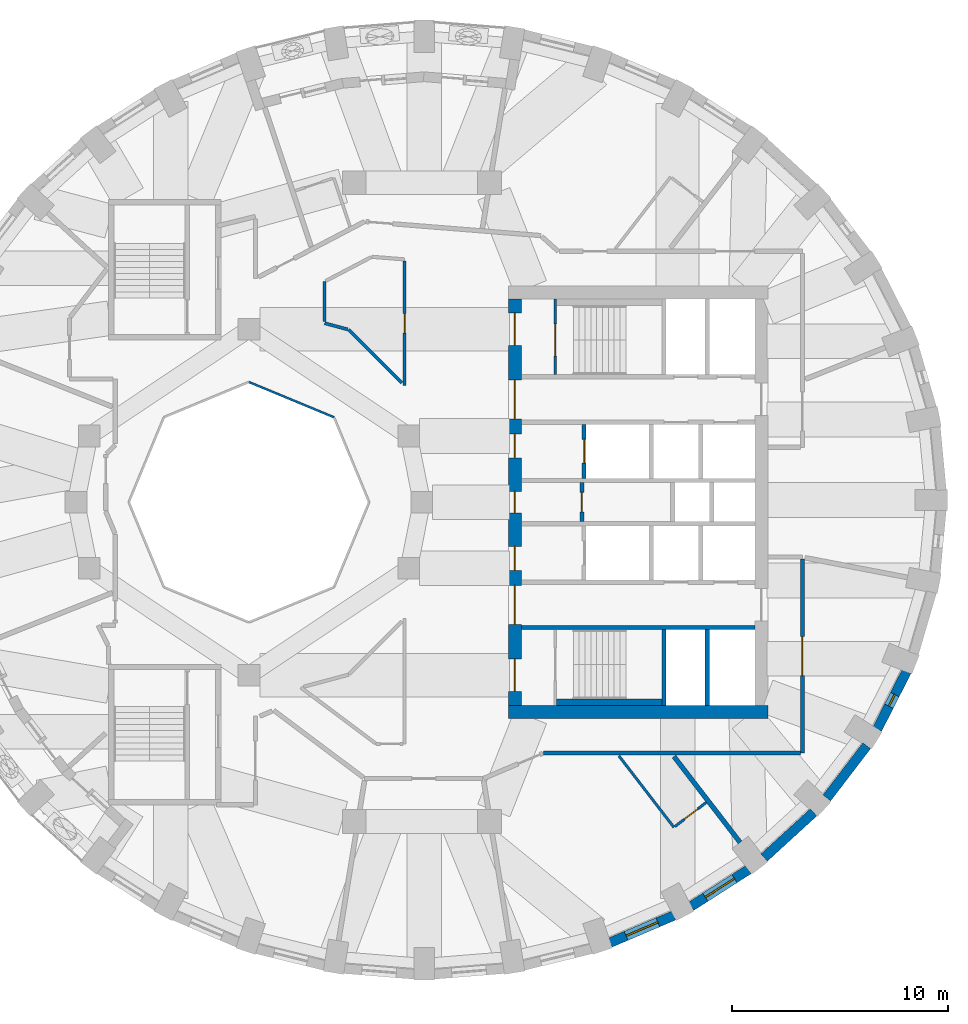
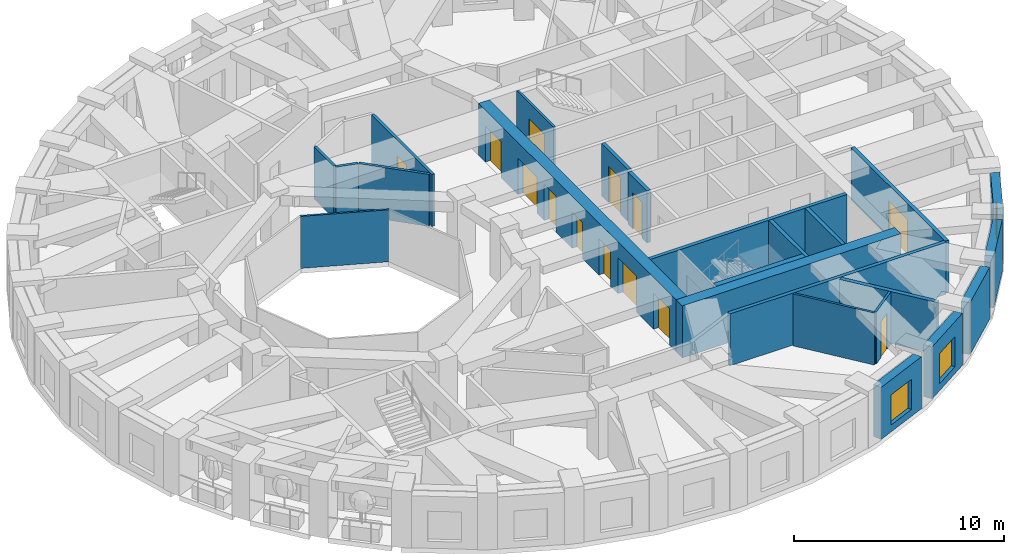
# One storey, part 5 of 11: 24 walls, 13 doors, 3 windows, 16 openings.
"""IFC4 building model written with IfcOpenShell, lengths in metres."""

import ifcopenshell
import ifcopenshell.guid

model = None  # the IFC model being written
_history = None  # IfcOwnerHistory: only IFC2X3 demands one
_inside = {}  # id of a spatial element -> (the spatial element, [elements in it])
_under = {}  # id of a project, library or spatial element -> (it, [spatial elements below it])
_declared = {}  # id of a project -> (the project, [libraries it declares])
_typed = {}  # id of a type object -> (the type object, [elements of that type])
_made_of = {}  # id of a material, layer set ... -> (it, [elements and type objects made of it])


def new_model(schema):
    """Start an empty IFC model of exactly this schema.

    Asked for "IFC4X3", IfcOpenShell would pick the latest addendum, in which some entities
    have other attributes; the version numbers below select the first issue.
    IFC2X3 requires an IfcOwnerHistory on every rooted entity: one is made here for all.
    """
    global model, _history
    if schema == "IFC4X3":
        model = ifcopenshell.file(schema_version=(4, 3, 0, 0))
    else:
        model = ifcopenshell.file(schema=schema)
    _inside.clear()
    _under.clear()
    _declared.clear()
    _typed.clear()
    _made_of.clear()
    _history = None
    if model.schema == "IFC2X3":
        org = make("IfcOrganization", Name="unknown")
        user = make(
            "IfcPersonAndOrganization",
            ThePerson=make("IfcPerson", FamilyName="unknown"),
            TheOrganization=org,
        )
        app = make(
            "IfcApplication",
            ApplicationDeveloper=org,
            Version="unknown",
            ApplicationFullName="unknown",
            ApplicationIdentifier="unknown",
        )
        _history = make(
            "IfcOwnerHistory",
            OwningUser=user,
            OwningApplication=app,
            ChangeAction="ADDED",
            CreationDate=0,
        )
    return model


def make(cls, **values):
    """One entity of the class cls with the attributes given. An attribute that is None is left unset."""
    return model.create_entity(
        cls, **{name: value for name, value in values.items() if value is not None}
    )


def rooted(cls, **values):
    """An entity with a GlobalId (a new one), such as an element, a storey or a relation."""
    return make(cls, GlobalId=ifcopenshell.guid.new(), OwnerHistory=_history, **values)


def si_unit(unit_type, name, prefix=None):
    """IfcSIUnit, for example si_unit("LENGTHUNIT", "METRE", prefix="MILLI")."""
    return make("IfcSIUnit", UnitType=unit_type, Prefix=prefix, Name=name)


def assignment(units):
    """IfcUnitAssignment: the units of a project."""
    return None if units is None else make("IfcUnitAssignment", Units=units)


def point(xyz):
    """IfcCartesianPoint."""
    return None if xyz is None else make("IfcCartesianPoint", Coordinates=xyz)


def direction(xyz):
    """IfcDirection."""
    return None if xyz is None else make("IfcDirection", DirectionRatios=xyz)


def frame(location, z_axis=None, x_axis=None):
    """IfcAxis2Placement3D, a coordinate frame: its origin and axes. An axis left out is left unset."""
    return make(
        "IfcAxis2Placement3D",
        Location=point(location),
        Axis=direction(z_axis),
        RefDirection=direction(x_axis),
    )


def frame_2d(location, x_axis=None):
    """IfcAxis2Placement2D, a coordinate frame in the plane: its origin and x axis."""
    return make(
        "IfcAxis2Placement2D", Location=point(location), RefDirection=direction(x_axis)
    )


def origin():
    """The frame at (0, 0, 0) with its axes left unset."""
    return frame((0.0, 0.0, 0.0))


def place(relative_to, where):
    """IfcLocalPlacement: puts the frame where relative to a parent placement (None: the world)."""
    return make(
        "IfcLocalPlacement", PlacementRelTo=relative_to, RelativePlacement=where
    )


def context(
    kind, dimensions, precision=None, world=None, true_north=None, identifier=None
):
    """IfcGeometricRepresentationContext, for example the 3D "Model" context."""
    return make(
        "IfcGeometricRepresentationContext",
        ContextIdentifier=identifier,
        ContextType=kind,
        CoordinateSpaceDimension=dimensions,
        Precision=precision,
        WorldCoordinateSystem=world,
        TrueNorth=true_north,
    )


def subcontext(parent, identifier, kind, view, scale=None):
    """IfcGeometricRepresentationSubContext, for example "Body" below "Model"."""
    return make(
        "IfcGeometricRepresentationSubContext",
        ContextIdentifier=identifier,
        ContextType=kind,
        ParentContext=parent,
        TargetScale=scale,
        TargetView=view,
    )


def project(units=None, contexts=None):
    """IfcProject with its units and contexts."""
    return rooted(
        "IfcProject",
        Name="project",
        RepresentationContexts=contexts,
        UnitsInContext=assignment(units),
    )


def spatial(cls, under=None, at=None, **own):
    """A site, building, storey or space (cls), placed at a placement, below another one or the project."""
    s = rooted(cls, ObjectPlacement=at, **own)
    if under is not None:
        _under.setdefault(under.id(), (under, []))[1].append(s)
    return s


def profile(cls, at=None, kind="AREA", **sizes):
    """A parametric profile (cls). Its sizes go by their IFC names, for example OverallWidth=200.0."""
    return make(cls, ProfileType=kind, Position=at, **sizes)


def rectangle(**sizes):
    """IfcRectangleProfileDef."""
    return profile("IfcRectangleProfileDef", **sizes)


def extrude(swept, where, along, depth):
    """IfcExtrudedAreaSolid: the profile swept, set in the frame where, extruded along a direction by depth."""
    return make(
        "IfcExtrudedAreaSolid",
        SweptArea=swept,
        Position=where,
        ExtrudedDirection=direction(along),
        Depth=depth,
    )


def shape(context_of_items, identifier, shape_type, items):
    """IfcShapeRepresentation: the items that make up one representation, for example the "Body"."""
    return make(
        "IfcShapeRepresentation",
        ContextOfItems=context_of_items,
        RepresentationIdentifier=identifier,
        RepresentationType=shape_type,
        Items=items,
    )


def material(Name=None, Category=None):
    """IfcMaterial."""
    return make("IfcMaterial", Name=Name, Category=Category)


def layer(
    of_material, thickness, ventilated=None, Name=None, Category=None, Priority=None
):
    """IfcMaterialLayer: one layer of a wall or slab, of a material (None: an air gap)."""
    return make(
        "IfcMaterialLayer",
        Material=of_material,
        LayerThickness=thickness,
        IsVentilated=ventilated,
        Name=Name,
        Category=Category,
        Priority=Priority,
    )


def layer_set(layers, Name=None):
    """IfcMaterialLayerSet."""
    return make("IfcMaterialLayerSet", MaterialLayers=layers, LayerSetName=Name)


def made_of(thing, what):
    """Note that an element or type object is made of a material, layer set ...; save() writes the relation."""
    if what is not None:
        _made_of.setdefault(what.id(), (what, []))[1].append(thing)
    return thing


def type_object(cls, material=None, **own):
    """A type object (cls), such as IfcWallType, which elements share."""
    return made_of(rooted(cls, **own), material)


def element(
    cls,
    number,
    at=None,
    inside=None,
    cuts=None,
    type_object=None,
    material=None,
    context=None,
    identifier="Body",
    shape_type=None,
    held_by="IfcProductDefinitionShape",
    body=None,
    shapes=None,
    **own,
):
    """One element of the class cls, such as IfcWall. Its Tag is "e" and its number.

    at: its placement. inside: the storey or other place that contains it. cuts: it is an
    opening in that element (IfcRelVoidsElement). A single representation is given by context,
    identifier, shape_type and body (its items); several are given by shapes. held_by: the class
    of the entity that holds the representations. save() writes the other relations.
    """
    e = rooted(cls, Tag="e%d" % number, ObjectPlacement=at, **own)
    if body is not None:
        shapes = [shape(context, identifier, shape_type, body)]
    if shapes is not None:
        e.Representation = make(held_by, Representations=shapes)
    if inside is not None:
        _inside.setdefault(inside.id(), (inside, []))[1].append(e)
    if cuts is not None:
        rooted(
            "IfcRelVoidsElement", RelatingBuildingElement=cuts, RelatedOpeningElement=e
        )
    if type_object is not None:
        _typed.setdefault(type_object.id(), (type_object, []))[1].append(e)
    return made_of(e, material)


def fill(opening, filler):
    """IfcRelFillsElement: the door or window that sits in an opening."""
    return rooted(
        "IfcRelFillsElement",
        RelatingOpeningElement=opening,
        RelatedBuildingElement=filler,
    )


def aggregate(whole, parts):
    """IfcRelAggregates: a whole, such as a stair, and the parts it consists of."""
    return rooted("IfcRelAggregates", RelatingObject=whole, RelatedObjects=parts)


def save(model, path):
    """Write the relations noted so far, then the file.

    IfcRelAggregates (storeys below a building ...), IfcRelContainedInSpatialStructure (elements
    in a storey), IfcRelDefinesByType, IfcRelAssociatesMaterial and IfcRelDeclares: one each for
    every whole, place, type object, material and project.
    """
    for whole, parts in _under.values():
        aggregate(whole, parts)
    for where, things in _inside.values():
        rooted(
            "IfcRelContainedInSpatialStructure",
            RelatedElements=things,
            RelatingStructure=where,
        )
    for kind, things in _typed.values():
        rooted("IfcRelDefinesByType", RelatedObjects=things, RelatingType=kind)
    for what, things in _made_of.values():
        rooted("IfcRelAssociatesMaterial", RelatedObjects=things, RelatingMaterial=what)
    for by, libraries in _declared.values():
        rooted("IfcRelDeclares", RelatingContext=by, RelatedDefinitions=libraries)
    model.write(path)


model = new_model("IFC4")

# Units and contexts
model_context = context("Model", 3, precision=1e-05, world=origin(), true_north=direction((0.0, 1.0)))
body_context = subcontext(model_context, "Body", "Model", "MODEL_VIEW")
ifc_project = project(units=[si_unit("LENGTHUNIT", "METRE"), si_unit("AREAUNIT", "SQUARE_METRE"), si_unit("VOLUMEUNIT", "CUBIC_METRE"), si_unit("PLANEANGLEUNIT", "RADIAN"), si_unit("MASSUNIT", "GRAM", prefix="KILO")], contexts=[model_context])

# Site, building, storey
site_placement = place(None, origin())
site = spatial("IfcSite", under=ifc_project, at=site_placement, CompositionType="ELEMENT")
building_placement = place(site_placement, origin())
building = spatial("IfcBuilding", under=site, at=building_placement, Name="Taillehof Tower", CompositionType="ELEMENT")
storey_placement = place(building_placement, frame((0.0, 0.0, 174.800048828125)))
storey = spatial("IfcBuildingStorey", under=building, at=storey_placement, Name="L49", CompositionType="ELEMENT", Elevation=174.800048828125)

# Wall
ifc_material_1 = material(Name="Fire-resisting glass in steel frame", Category="steel")
ifc_layer_1 = layer(ifc_material_1, 0.10009765625)
ifc_layer_set_1 = layer_set([ifc_layer_1], Name="Atrium fire-resisting screen EI 60 100")
wall_type_1 = type_object("IfcWallType", Name="Atrium fire-resisting screen EI 60 100", PredefinedType="PARTITIONING", material=ifc_layer_set_1)
wall_1_placement = place(storey_placement, frame((-8.0, 5.55419921875, 0.0), z_axis=(0.0, 0.0, 1.0), x_axis=(0.923860025149, -0.382730523909, 0.0)))
element("IfcWall", 1, at=wall_1_placement, inside=storey, type_object=wall_type_1, Name="Atrium screen", PredefinedType="PARTITIONING", context=body_context, shape_type="SweptSolid", body=[
    extrude(rectangle(XDim=4.2509765625, YDim=0.10009765625, at=frame_2d((2.12548828125, 0.0))), origin(), (0.0, 0.0, 1.0), 3.02001953125),
])

# Wall, opening, window
ifc_material_2 = material(Name="Brick masonry", Category="masonry")
ifc_layer_2 = layer(ifc_material_2, 0.449951171875)
ifc_layer_set_2 = layer_set([ifc_layer_2], Name="Brick infill wall 450")
wall_type_2 = type_object("IfcWallType", Name="Brick infill wall 450", PredefinedType="SOLIDWALL", material=ifc_layer_set_2)
wall_2_placement = place(storey_placement, frame((8.706298828125, -20.37451171875, 0.0), z_axis=(0.0, 0.0, 1.0), x_axis=(0.91981046949, 0.392362969986, 0.0)))
wall_2 = element("IfcWall", 2, at=wall_2_placement, inside=storey, type_object=wall_type_2, Name="Brick wall L49 bay 30", PredefinedType="SOLIDWALL", context=body_context, shape_type="SweptSolid", body=[
    extrude(rectangle(XDim=3.20068359375, YDim=0.449951171875, at=frame_2d((1.600341796875, 0.0))), origin(), (0.0, 0.0, 1.0), 3.02001953125),
])
opening_1_placement = place(wall_2_placement, frame((0.80029296875, 0.0, 0.39990234375)))
opening_1 = element("IfcOpeningElement", 3, at=opening_1_placement, cuts=wall_2, Name="Opening W3", PredefinedType="OPENING", context=body_context, shape_type="SweptSolid", body=[
    extrude(rectangle(XDim=1.60009765625, YDim=1.75, at=frame_2d((0.800048828125, 0.875))), frame((0.0, 0.23486328125, 0.0), z_axis=(0.0, -1.0, 0.0), x_axis=(1.0, 0.0, 0.0)), (0.0, 0.0, 1.0), 0.469970703125),
])
ifc_material_3 = material(Name="Aluminium window frame with clear double glazing", Category="aluminium")
window_type_1 = type_object("IfcWindowType", Name="Deep-set window 1600x1750", PartitioningType="SINGLE_PANEL", PredefinedType="WINDOW", material=ifc_material_3)
window_1_placement = place(opening_1_placement, origin())
window_1 = element("IfcWindow", 4, at=window_1_placement, inside=storey, type_object=window_type_1, Name="W3", OverallHeight=1.75, OverallWidth=1.60009765625, PartitioningType="SINGLE_PANEL", PredefinedType="WINDOW", context=body_context, shape_type="SweptSolid", body=[
    extrude(rectangle(XDim=1.60009765625, YDim=1.75, at=frame_2d((0.800048828125, 0.875))), frame((0.0, 0.034912109375, 0.0), z_axis=(0.0, -1.0, 0.0), x_axis=(1.0, 0.0, 0.0)), (0.0, 0.0, 1.0), 0.06005859375),
])
fill(opening_1, window_1)

wall_3_placement = place(storey_placement, frame((12.454833984375, -18.693115234375, 0.0), z_axis=(0.0, 0.0, 1.0), x_axis=(0.842065914439, 0.539374633943, 0.0)))
wall_3 = element("IfcWall", 5, at=wall_3_placement, inside=storey, type_object=wall_type_2, Name="Brick wall L49 bay 31", PredefinedType="SOLIDWALL", context=body_context, shape_type="SweptSolid", body=[
    extrude(rectangle(XDim=3.1513671875, YDim=0.449951171875, at=frame_2d((1.57568359375, 0.0))), origin(), (0.0, 0.0, 1.0), 3.02001953125),
])
opening_2_placement = place(wall_3_placement, frame((0.775634765625, 0.0, 0.39990234375)))
opening_2 = element("IfcOpeningElement", 6, at=opening_2_placement, cuts=wall_3, Name="Opening W3", PredefinedType="OPENING", context=body_context, shape_type="SweptSolid", body=[
    extrude(rectangle(XDim=1.60009765625, YDim=1.75, at=frame_2d((0.800048828125, 0.875))), frame((0.0, 0.23486328125, 0.0), z_axis=(0.0, -1.0, 0.0), x_axis=(1.0, 0.0, 0.0)), (0.0, 0.0, 1.0), 0.469970703125),
])
window_2_placement = place(opening_2_placement, origin())
window_2 = element("IfcWindow", 7, at=window_2_placement, inside=storey, type_object=window_type_1, Name="W3", OverallHeight=1.75, OverallWidth=1.60009765625, PartitioningType="SINGLE_PANEL", PredefinedType="WINDOW", context=body_context, shape_type="SweptSolid", body=[
    extrude(rectangle(XDim=1.60009765625, YDim=1.75, at=frame_2d((0.800048828125, 0.875))), frame((0.0, 0.034912109375, 0.0), z_axis=(0.0, -1.0, 0.0), x_axis=(1.0, 0.0, 0.0)), (0.0, 0.0, 1.0), 0.06005859375),
])
fill(opening_2, window_2)

# Walls
wall_4_placement = place(storey_placement, frame((15.830078125, -16.438720703125, 0.0), z_axis=(0.0, 0.0, 1.0), x_axis=(0.737808755941, 0.675009807082, 0.0)))
element("IfcWall", 8, at=wall_4_placement, inside=storey, type_object=wall_type_2, Name="Brick wall L49 bay 32", PredefinedType="SOLIDWALL", context=body_context, shape_type="SweptSolid", body=[
    extrude(rectangle(XDim=3.094482421875, YDim=0.449951171875, at=frame_2d((1.54736328125, 0.0))), origin(), (0.0, 0.0, 1.0), 3.02001953125),
])
wall_5_placement = place(storey_placement, frame((18.72802734375, -13.6787109375, 0.0), z_axis=(0.0, 0.0, 1.0), x_axis=(0.607817056371, 0.794077090706, 0.0)))
element("IfcWall", 9, at=wall_5_placement, inside=storey, type_object=wall_type_2, Name="Brick wall L49 bay 33", PredefinedType="SOLIDWALL", context=body_context, shape_type="SweptSolid", body=[
    extrude(rectangle(XDim=3.037109375, YDim=0.449951171875, at=frame_2d((1.5185546875, 0.0))), origin(), (0.0, 0.0, 1.0), 3.02001953125),
])

# Wall, opening, window
wall_6_placement = place(storey_placement, frame((21.059326171875, -10.4970703125, 0.0), z_axis=(0.0, 0.0, 1.0), x_axis=(0.454133999889, 0.890933392653, 0.0)))
wall_6 = element("IfcWall", 10, at=wall_6_placement, inside=storey, type_object=wall_type_2, Name="Brick wall L49 bay 34", PredefinedType="SOLIDWALL", context=body_context, shape_type="SweptSolid", body=[
    extrude(rectangle(XDim=2.98583984375, YDim=0.449951171875, at=frame_2d((1.492919921875, 0.0))), origin(), (0.0, 0.0, 1.0), 3.02001953125),
])
opening_3_placement = place(wall_6_placement, frame((1.19287109375, 0.0, 0.39990234375)))
opening_3 = element("IfcOpeningElement", 11, at=opening_3_placement, cuts=wall_6, Name="Opening W6", PredefinedType="OPENING", context=body_context, shape_type="SweptSolid", body=[
    extrude(rectangle(XDim=0.60009765625, YDim=1.75, at=frame_2d((0.300048828125, 0.875))), frame((0.0, 0.23486328125, 0.0), z_axis=(0.0, -1.0, 0.0), x_axis=(1.0, 0.0, 0.0)), (0.0, 0.0, 1.0), 0.469970703125),
])
ifc_material_4 = material(Name="Aluminium window frame with clear double glazing", Category="aluminium")
window_type_2 = type_object("IfcWindowType", Name="Slot window 600x1750", PartitioningType="SINGLE_PANEL", PredefinedType="WINDOW", material=ifc_material_4)
window_3_placement = place(opening_3_placement, origin())
window_3 = element("IfcWindow", 12, at=window_3_placement, inside=storey, type_object=window_type_2, Name="W6", OverallHeight=1.75, OverallWidth=0.60009765625, PartitioningType="SINGLE_PANEL", PredefinedType="WINDOW", context=body_context, shape_type="SweptSolid", body=[
    extrude(rectangle(XDim=0.60009765625, YDim=1.75, at=frame_2d((0.300048828125, 0.875))), frame((0.0, 0.034912109375, 0.0), z_axis=(0.0, -1.0, 0.0), x_axis=(1.0, 0.0, 0.0)), (0.0, 0.0, 1.0), 0.06005859375),
])
fill(opening_3, window_3)

# Wall, opening, door
ifc_material_5 = material(Name="Calcium silicate masonry", Category="masonry")
ifc_layer_3 = layer(ifc_material_5, 0.199951171875)
ifc_layer_set_3 = layer_set([ifc_layer_3], Name="Compartment wall calcium silicate 200")
wall_type_3 = type_object("IfcWallType", Name="Compartment wall calcium silicate 200", PredefinedType="PARTITIONING", material=ifc_layer_set_3)
wall_7_placement = place(storey_placement, frame((7.39990234375, -0.89990234375, 0.0), z_axis=(0.0, 0.0, 1.0), x_axis=(0.0, 1.0, 0.0)))
wall_7 = element("IfcWall", 13, at=wall_7_placement, inside=storey, type_object=wall_type_3, Name="Compartment wall FW", PredefinedType="PARTITIONING", context=body_context, shape_type="SweptSolid", body=[
    extrude(rectangle(XDim=1.7998046875, YDim=0.199951171875, at=frame_2d((0.89990234375, 0.0))), origin(), (0.0, 0.0, 1.0), 3.02001953125),
])
opening_4_placement = place(wall_7_placement, frame((0.449951171875, 0.0, 0.0)))
opening_4 = element("IfcOpeningElement", 14, at=opening_4_placement, cuts=wall_7, Name="Opening D4914", PredefinedType="OPENING", context=body_context, shape_type="SweptSolid", body=[
    extrude(rectangle(XDim=0.89990234375, YDim=2.10009765625, at=frame_2d((0.449951171875, 1.050048828125))), frame((0.0, 0.10986328125, 0.0), z_axis=(0.0, -1.0, 0.0), x_axis=(1.0, 0.0, 0.0)), (0.0, 0.0, 1.0), 0.219970703125),
])
ifc_material_6 = material(Name="Steel-faced fire door", Category="steel")
door_type_1 = type_object("IfcDoorType", Name="Riser and service room door 900x2100", OperationType="SINGLE_SWING_LEFT", PredefinedType="DOOR", material=ifc_material_6)
door_1_placement = place(opening_4_placement, origin())
door_1 = element("IfcDoor", 15, at=door_1_placement, inside=storey, type_object=door_type_1, Name="Door Housekeeping Store", OperationType="SINGLE_SWING_RIGHT", OverallHeight=2.10009765625, OverallWidth=0.89990234375, PredefinedType="DOOR", context=body_context, shape_type="SweptSolid", body=[
    extrude(rectangle(XDim=0.89990234375, YDim=2.10009765625, at=frame_2d((0.449951171875, 1.050048828125))), frame((0.0, 0.02490234375, 0.0), z_axis=(0.0, -1.0, 0.0), x_axis=(1.0, 0.0, 0.0)), (0.0, 0.0, 1.0), 0.050048828125),
])
fill(opening_4, door_1)

ifc_material_7 = material(Name="Gypsum board on steel studs, two layers each side", Category="steel")
ifc_layer_4 = layer(ifc_material_7, 0.199951171875)
ifc_layer_set_4 = layer_set([ifc_layer_4], Name="Compartment wall corridor 200")
wall_type_4 = type_object("IfcWallType", Name="Compartment wall corridor 200", PredefinedType="PARTITIONING", material=ifc_layer_set_4)
wall_8_placement = place(storey_placement, frame((17.60009765625, -2.637939453125, 0.0), z_axis=(0.0, 0.0, 1.0), x_axis=(0.0, -1.0, 0.0)))
wall_8 = element("IfcWall", 16, at=wall_8_placement, inside=storey, type_object=wall_type_4, Name="Compartment wall", PredefinedType="PARTITIONING", context=body_context, shape_type="SweptSolid", body=[
    extrude(rectangle(XDim=8.962158203125, YDim=0.199951171875, at=frame_2d((4.48095703125, 0.0))), origin(), (0.0, 0.0, 1.0), 3.02001953125),
])
opening_5_placement = place(wall_8_placement, frame((3.5810546875, 0.0, 0.0)))
opening_5 = element("IfcOpeningElement", 17, at=opening_5_placement, cuts=wall_8, Name="Opening D4952", PredefinedType="OPENING", context=body_context, shape_type="SweptSolid", body=[
    extrude(rectangle(XDim=1.800048828125, YDim=2.10009765625, at=frame_2d((0.89990234375, 1.050048828125))), frame((0.0, 0.10986328125, 0.0), z_axis=(0.0, -1.0, 0.0), x_axis=(1.0, 0.0, 0.0)), (0.0, 0.0, 1.0), 0.219970703125),
])
ifc_material_8 = material(Name="Timber door leaf in steel frame", Category="steel")
door_type_2 = type_object("IfcDoorType", Name="Lounge and meeting room double door EI 30 1800 x 2100", OperationType="SINGLE_SWING_LEFT", PredefinedType="DOOR", material=ifc_material_8)
door_2_placement = place(opening_5_placement, origin())
door_2 = element("IfcDoor", 18, at=door_2_placement, inside=storey, type_object=door_type_2, Name="D4952", OperationType="DOUBLE_DOOR_SINGLE_SWING", OverallHeight=2.10009765625, OverallWidth=1.800048828125, PredefinedType="DOOR", context=body_context, shape_type="SweptSolid", body=[
    extrude(rectangle(XDim=1.800048828125, YDim=2.10009765625, at=frame_2d((0.89990234375, 1.050048828125))), frame((0.0, 0.02490234375, 0.0), z_axis=(0.0, -1.0, 0.0), x_axis=(1.0, 0.0, 0.0)), (0.0, 0.0, 1.0), 0.050048828125),
])
fill(opening_5, door_2)

# Walls
wall_9_placement = place(storey_placement, frame((17.5, -11.60009765625, 0.0), z_axis=(0.0, 0.0, 1.0), x_axis=(-1.0, 0.0, 0.0)))
element("IfcWall", 19, at=wall_9_placement, inside=storey, type_object=wall_type_4, Name="Compartment wall", PredefinedType="PARTITIONING", context=body_context, shape_type="SweptSolid", body=[
    extrude(rectangle(XDim=11.876220703125, YDim=0.199951171875, at=frame_2d((5.93798828125, 0.0))), origin(), (0.0, 0.0, 1.0), 3.02001953125),
])
ifc_material_9 = material(Name="Gypsum board on double steel studs with mineral wool", Category="steel")
ifc_layer_5 = layer(ifc_material_9, 0.219970703125)
ifc_layer_set_5 = layer_set([ifc_layer_5], Name="Compartment wall guest room 220")
wall_type_5 = type_object("IfcWallType", Name="Compartment wall guest room 220", PredefinedType="PARTITIONING", material=ifc_layer_set_5)
wall_10_placement = place(storey_placement, frame((14.7158203125, -15.7373046875, 0.0), z_axis=(0.0, 0.0, 1.0), x_axis=(-0.609986007715, 0.792412184657, 0.0)))
element("IfcWall", 20, at=wall_10_placement, inside=storey, type_object=wall_type_5, Name="Compartment wall", PredefinedType="PARTITIONING", context=body_context, shape_type="SweptSolid", body=[
    extrude(rectangle(XDim=5.0146484375, YDim=0.219970703125, at=frame_2d((2.50732421875, 0.0))), origin(), (0.0, 0.0, 1.0), 3.02001953125),
])
ifc_material_10 = material(Name="Calcium silicate masonry", Category="masonry")
ifc_layer_6 = layer(ifc_material_10, 0.300048828125)
ifc_layer_set_6 = layer_set([ifc_layer_6], Name="Compartment wall lining calcium silicate 300")
wall_type_6 = type_object("IfcWallType", Name="Compartment wall lining calcium silicate 300", PredefinedType="PARTITIONING", material=ifc_layer_set_6)
wall_11_placement = place(storey_placement, frame((6.219970703125, -9.25, 0.0), z_axis=(0.0, 0.0, 1.0), x_axis=(1.0, 0.0, 0.0)))
element("IfcWall", 21, at=wall_11_placement, inside=storey, type_object=wall_type_6, Name="Compartment wall FW", PredefinedType="PARTITIONING", context=body_context, shape_type="SweptSolid", body=[
    extrude(rectangle(XDim=4.880126953125, YDim=0.300048828125, at=frame_2d((2.43994140625, 0.0))), origin(), (0.0, 0.0, 1.0), 3.02001953125),
])

# Wall, opening, door
ifc_material_11 = material(Name="Gypsum board on steel studs, two layers each side", Category="steel")
ifc_layer_7 = layer(ifc_material_11, 0.14990234375)
ifc_layer_set_7 = layer_set([ifc_layer_7], Name="Compartment wall service room 150")
wall_type_7 = type_object("IfcWallType", Name="Compartment wall service room 150", PredefinedType="PARTITIONING", material=ifc_layer_set_7)
wall_12_placement = place(storey_placement, frame((-0.800048828125, 11.146728515625, 0.0), z_axis=(0.0, 0.0, 1.0), x_axis=(0.0, -1.0, 0.0)))
wall_12 = element("IfcWall", 22, at=wall_12_placement, inside=storey, type_object=wall_type_7, Name="Compartment wall", PredefinedType="PARTITIONING", context=body_context, shape_type="SweptSolid", body=[
    extrude(rectangle(XDim=5.76025390625, YDim=0.14990234375, at=frame_2d((2.880126953125, 0.0))), origin(), (0.0, 0.0, 1.0), 3.02001953125),
])
opening_6_placement = place(wall_12_placement, frame((2.43017578125, 0.0, 0.0)))
opening_6 = element("IfcOpeningElement", 23, at=opening_6_placement, cuts=wall_12, Name="Opening D4955", PredefinedType="OPENING", context=body_context, shape_type="SweptSolid", body=[
    extrude(rectangle(XDim=0.89990234375, YDim=2.10009765625, at=frame_2d((0.449951171875, 1.050048828125))), frame((0.0, 0.0849609375, 0.0), z_axis=(0.0, -1.0, 0.0), x_axis=(1.0, 0.0, 0.0)), (0.0, 0.0, 1.0), 0.169921875),
])
ifc_material_12 = material(Name="Timber door leaf in steel frame", Category="steel")
door_type_3 = type_object("IfcDoorType", Name="Service room door EI 30 900 x 2100", OperationType="SINGLE_SWING_LEFT", PredefinedType="DOOR", material=ifc_material_12)
door_3_placement = place(opening_6_placement, origin())
door_3 = element("IfcDoor", 24, at=door_3_placement, inside=storey, type_object=door_type_3, Name="D4955", OperationType="SINGLE_SWING_LEFT", OverallHeight=2.10009765625, OverallWidth=0.89990234375, PredefinedType="DOOR", context=body_context, shape_type="SweptSolid", body=[
    extrude(rectangle(XDim=0.89990234375, YDim=2.10009765625, at=frame_2d((0.449951171875, 1.050048828125))), frame((0.0, 0.02490234375, 0.0), z_axis=(0.0, -1.0, 0.0), x_axis=(1.0, 0.0, 0.0)), (0.0, 0.0, 1.0), 0.050048828125),
])
fill(opening_6, door_3)

# Walls
wall_13_placement = place(storey_placement, frame((-0.927490234375, 5.513916015625, 0.0), z_axis=(0.0, 0.0, 1.0), x_axis=(-0.707106781187, 0.707106781187, 0.0)))
element("IfcWall", 25, at=wall_13_placement, inside=storey, type_object=wall_type_7, Name="Compartment wall", PredefinedType="PARTITIONING", context=body_context, shape_type="SweptSolid", body=[
    extrude(rectangle(XDim=3.48681640625, YDim=0.14990234375, at=frame_2d((1.743408203125, 0.0))), origin(), (0.0, 0.0, 1.0), 3.02001953125),
])
wall_14_placement = place(storey_placement, frame((-3.431640625, 7.98974609375, 0.0), z_axis=(0.0, 0.0, 1.0), x_axis=(-0.965900750832, 0.258912609855, 0.0)))
element("IfcWall", 26, at=wall_14_placement, inside=storey, type_object=wall_type_7, Name="Compartment wall", PredefinedType="PARTITIONING", context=body_context, shape_type="SweptSolid", body=[
    extrude(rectangle(XDim=1.10595703125, YDim=0.14990234375, at=frame_2d((0.552978515625, 0.0))), origin(), (0.0, 0.0, 1.0), 3.02001953125),
])
wall_15_placement = place(storey_placement, frame((-4.5, 8.356201171875, 0.0), z_axis=(0.0, 0.0, 1.0), x_axis=(0.0, 1.0, 0.0)))
element("IfcWall", 27, at=wall_15_placement, inside=storey, type_object=wall_type_7, Name="Compartment wall", PredefinedType="PARTITIONING", context=body_context, shape_type="SweptSolid", body=[
    extrude(rectangle(XDim=1.84814453125, YDim=0.14990234375, at=frame_2d((0.924072265625, 0.0))), origin(), (0.0, 0.0, 1.0), 3.02001953125),
])

# Wall, openings, doors
ifc_material_13 = material(Name="Concrete C80/95", Category="concrete")
ifc_layer_8 = layer(ifc_material_13, 0.60009765625)
ifc_layer_set_8 = layer_set([ifc_layer_8], Name="Core wall C80/95 600")
wall_type_8 = type_object("IfcWallType", Name="Core wall C80/95 600", PredefinedType="SHEAR", material=ifc_layer_set_8)
wall_16_placement = place(storey_placement, frame((4.300048828125, -9.39990234375, 0.0), z_axis=(0.0, 0.0, 1.0), x_axis=(0.0, 1.0, 0.0)))
wall_16 = element("IfcWall", 28, at=wall_16_placement, inside=storey, type_object=wall_type_8, Name="Core wall CW01", PredefinedType="SHEAR", context=body_context, shape_type="SweptSolid", body=[
    extrude(rectangle(XDim=18.7998046875, YDim=0.60009765625, at=frame_2d((9.39990234375, 0.0))), origin(), (0.0, 0.0, 1.0), 3.02001953125),
])
opening_7_placement = place(wall_16_placement, frame((0.64990234375, 0.0, 0.0)))
opening_7 = element("IfcOpeningElement", 29, at=opening_7_placement, cuts=wall_16, Name="Opening D4901", PredefinedType="OPENING", context=body_context, shape_type="SweptSolid", body=[
    extrude(rectangle(XDim=1.5, YDim=2.10009765625, at=frame_2d((0.75, 1.050048828125))), frame((0.0, 0.31005859375, 0.0), z_axis=(0.0, -1.0, 0.0), x_axis=(1.0, 0.0, 0.0)), (0.0, 0.0, 1.0), 0.6201171875),
])
opening_8_placement = place(wall_16_placement, frame((3.75, 0.0, 0.0)))
opening_8 = element("IfcOpeningElement", 30, at=opening_8_placement, cuts=wall_16, Name="Opening D4902", PredefinedType="OPENING", context=body_context, shape_type="SweptSolid", body=[
    extrude(rectangle(XDim=1.800048828125, YDim=2.10009765625, at=frame_2d((0.89990234375, 1.050048828125))), frame((0.0, 0.31005859375, 0.0), z_axis=(0.0, -1.0, 0.0), x_axis=(1.0, 0.0, 0.0)), (0.0, 0.0, 1.0), 0.6201171875),
])
opening_9_placement = place(wall_16_placement, frame((6.25, 0.0, 0.0)))
opening_9 = element("IfcOpeningElement", 31, at=opening_9_placement, cuts=wall_16, Name="Opening D4903", PredefinedType="OPENING", context=body_context, shape_type="SweptSolid", body=[
    extrude(rectangle(XDim=1.10009765625, YDim=2.10009765625, at=frame_2d((0.550048828125, 1.050048828125))), frame((0.0, 0.31005859375, 0.0), z_axis=(0.0, -1.0, 0.0), x_axis=(1.0, 0.0, 0.0)), (0.0, 0.0, 1.0), 0.6201171875),
])
opening_10_placement = place(wall_16_placement, frame((8.89990234375, 0.0, 0.0)))
opening_10 = element("IfcOpeningElement", 32, at=opening_10_placement, cuts=wall_16, Name="Opening D4904", PredefinedType="OPENING", context=body_context, shape_type="SweptSolid", body=[
    extrude(rectangle(XDim=1.0, YDim=2.10009765625, at=frame_2d((0.5, 1.050048828125))), frame((0.0, 0.31005859375, 0.0), z_axis=(0.0, -1.0, 0.0), x_axis=(1.0, 0.0, 0.0)), (0.0, 0.0, 1.0), 0.6201171875),
])
opening_11_placement = place(wall_16_placement, frame((11.449951171875, 0.0, 0.0)))
opening_11 = element("IfcOpeningElement", 33, at=opening_11_placement, cuts=wall_16, Name="Opening D4905", PredefinedType="OPENING", context=body_context, shape_type="SweptSolid", body=[
    extrude(rectangle(XDim=1.10009765625, YDim=2.10009765625, at=frame_2d((0.550048828125, 1.050048828125))), frame((0.0, 0.31005859375, 0.0), z_axis=(0.0, -1.0, 0.0), x_axis=(1.0, 0.0, 0.0)), (0.0, 0.0, 1.0), 0.6201171875),
])
opening_12_placement = place(wall_16_placement, frame((13.25, 0.0, 0.0)))
opening_12 = element("IfcOpeningElement", 34, at=opening_12_placement, cuts=wall_16, Name="Opening D4906", PredefinedType="OPENING", context=body_context, shape_type="SweptSolid", body=[
    extrude(rectangle(XDim=1.800048828125, YDim=2.10009765625, at=frame_2d((0.89990234375, 1.050048828125))), frame((0.0, 0.31005859375, 0.0), z_axis=(0.0, -1.0, 0.0), x_axis=(1.0, 0.0, 0.0)), (0.0, 0.0, 1.0), 0.6201171875),
])
opening_13_placement = place(wall_16_placement, frame((16.64990234375, 0.0, 0.0)))
opening_13 = element("IfcOpeningElement", 35, at=opening_13_placement, cuts=wall_16, Name="Opening D4907", PredefinedType="OPENING", context=body_context, shape_type="SweptSolid", body=[
    extrude(rectangle(XDim=1.5, YDim=2.10009765625, at=frame_2d((0.75, 1.050048828125))), frame((0.0, 0.31005859375, 0.0), z_axis=(0.0, -1.0, 0.0), x_axis=(1.0, 0.0, 0.0)), (0.0, 0.0, 1.0), 0.6201171875),
])
ifc_material_14 = material(Name="Steel-faced fire door", Category="steel")
door_type_4 = type_object("IfcDoorType", Name="Firefighting lobby door 1100x2100", OperationType="SINGLE_SWING_RIGHT", PredefinedType="DOOR", material=ifc_material_14)
door_4_placement = place(opening_9_placement, origin())
door_4 = element("IfcDoor", 36, at=door_4_placement, inside=storey, type_object=door_type_4, Name="Firefighting lobby door FFL-S", OperationType="SINGLE_SWING_RIGHT", OverallHeight=2.10009765625, OverallWidth=1.10009765625, PredefinedType="DOOR", context=body_context, shape_type="SweptSolid", body=[
    extrude(rectangle(XDim=1.10009765625, YDim=2.10009765625, at=frame_2d((0.550048828125, 1.050048828125))), frame((0.0, 0.02490234375, 0.0), z_axis=(0.0, -1.0, 0.0), x_axis=(1.0, 0.0, 0.0)), (0.0, 0.0, 1.0), 0.050048828125),
])
fill(opening_9, door_4)
door_5_placement = place(opening_11_placement, origin())
door_5 = element("IfcDoor", 37, at=door_5_placement, inside=storey, type_object=door_type_4, Name="Firefighting lobby door FFL-N", OperationType="SINGLE_SWING_LEFT", OverallHeight=2.10009765625, OverallWidth=1.10009765625, PredefinedType="DOOR", context=body_context, shape_type="SweptSolid", body=[
    extrude(rectangle(XDim=1.10009765625, YDim=2.10009765625, at=frame_2d((0.550048828125, 1.050048828125))), frame((0.0, 0.02490234375, 0.0), z_axis=(0.0, -1.0, 0.0), x_axis=(1.0, 0.0, 0.0)), (0.0, 0.0, 1.0), 0.050048828125),
])
fill(opening_11, door_5)
ifc_material_15 = material(Name="Steel-faced fire door", Category="steel")
door_type_5 = type_object("IfcDoorType", Name="Lift lobby door 1800x2100", OperationType="DOUBLE_DOOR_SINGLE_SWING", PredefinedType="DOOR", material=ifc_material_15)
door_6_placement = place(opening_8_placement, origin())
door_6 = element("IfcDoor", 38, at=door_6_placement, inside=storey, type_object=door_type_5, Name="Lift lobby door LL-S", OperationType="DOUBLE_DOOR_SINGLE_SWING", OverallHeight=2.10009765625, OverallWidth=1.800048828125, PredefinedType="DOOR", context=body_context, shape_type="SweptSolid", body=[
    extrude(rectangle(XDim=1.800048828125, YDim=2.10009765625, at=frame_2d((0.89990234375, 1.050048828125))), frame((0.0, 0.02490234375, 0.0), z_axis=(0.0, -1.0, 0.0), x_axis=(1.0, 0.0, 0.0)), (0.0, 0.0, 1.0), 0.050048828125),
])
fill(opening_8, door_6)
door_7_placement = place(opening_12_placement, origin())
door_7 = element("IfcDoor", 39, at=door_7_placement, inside=storey, type_object=door_type_5, Name="Lift lobby door LL-N", OperationType="DOUBLE_DOOR_SINGLE_SWING", OverallHeight=2.10009765625, OverallWidth=1.800048828125, PredefinedType="DOOR", context=body_context, shape_type="SweptSolid", body=[
    extrude(rectangle(XDim=1.800048828125, YDim=2.10009765625, at=frame_2d((0.89990234375, 1.050048828125))), frame((0.0, 0.02490234375, 0.0), z_axis=(0.0, -1.0, 0.0), x_axis=(1.0, 0.0, 0.0)), (0.0, 0.0, 1.0), 0.050048828125),
])
fill(opening_12, door_7)
ifc_material_16 = material(Name="Steel-faced fire door", Category="steel")
door_type_6 = type_object("IfcDoorType", Name="Service door 1000x2100", OperationType="SINGLE_SWING_RIGHT", PredefinedType="DOOR", material=ifc_material_16)
door_8_placement = place(opening_10_placement, origin())
door_8 = element("IfcDoor", 40, at=door_8_placement, inside=storey, type_object=door_type_6, Name="Service door SV", OperationType="SINGLE_SWING_RIGHT", OverallHeight=2.10009765625, OverallWidth=1.0, PredefinedType="DOOR", context=body_context, shape_type="SweptSolid", body=[
    extrude(rectangle(XDim=1.0, YDim=2.10009765625, at=frame_2d((0.5, 1.050048828125))), frame((0.0, 0.02490234375, 0.0), z_axis=(0.0, -1.0, 0.0), x_axis=(1.0, 0.0, 0.0)), (0.0, 0.0, 1.0), 0.050048828125),
])
fill(opening_10, door_8)
ifc_material_17 = material(Name="Steel-faced fire door", Category="steel")
door_type_7 = type_object("IfcDoorType", Name="Stair door 1500x2100", OperationType="DOUBLE_DOOR_SINGLE_SWING", PredefinedType="DOOR", material=ifc_material_17)
door_9_placement = place(opening_7_placement, origin())
door_9 = element("IfcDoor", 41, at=door_9_placement, inside=storey, type_object=door_type_7, Name="Stair door S2", OperationType="DOUBLE_DOOR_SINGLE_SWING", OverallHeight=2.10009765625, OverallWidth=1.5, PredefinedType="DOOR", context=body_context, shape_type="SweptSolid", body=[
    extrude(rectangle(XDim=1.5, YDim=2.10009765625, at=frame_2d((0.75, 1.050048828125))), frame((0.0, 0.02490234375, 0.0), z_axis=(0.0, -1.0, 0.0), x_axis=(1.0, 0.0, 0.0)), (0.0, 0.0, 1.0), 0.050048828125),
])
fill(opening_7, door_9)
door_10_placement = place(opening_13_placement, origin())
door_10 = element("IfcDoor", 42, at=door_10_placement, inside=storey, type_object=door_type_7, Name="Stair door S1", OperationType="DOUBLE_DOOR_SINGLE_SWING", OverallHeight=2.10009765625, OverallWidth=1.5, PredefinedType="DOOR", context=body_context, shape_type="SweptSolid", body=[
    extrude(rectangle(XDim=1.5, YDim=2.10009765625, at=frame_2d((0.75, 1.050048828125))), frame((0.0, 0.02490234375, 0.0), z_axis=(0.0, -1.0, 0.0), x_axis=(1.0, 0.0, 0.0)), (0.0, 0.0, 1.0), 0.050048828125),
])
fill(opening_13, door_10)

# Walls
wall_17_placement = place(storey_placement, frame((4.0, -9.699951171875, 0.0), z_axis=(0.0, 0.0, 1.0), x_axis=(1.0, 0.0, 0.0)))
element("IfcWall", 43, at=wall_17_placement, inside=storey, type_object=wall_type_8, Name="Core wall CW07", PredefinedType="SHEAR", context=body_context, shape_type="SweptSolid", body=[
    extrude(rectangle(XDim=12.0, YDim=0.60009765625, at=frame_2d((6.0, 0.0))), origin(), (0.0, 0.0, 1.0), 3.02001953125),
])
ifc_material_18 = material(Name="Gypsum board on steel studs, moisture resistant", Category="steel")
ifc_layer_9 = layer(ifc_material_18, 0.1201171875)
ifc_layer_set_9 = layer_set([ifc_layer_9], Name="En-suite wall 120")
wall_type_9 = type_object("IfcWallType", Name="En-suite wall 120", PredefinedType="PARTITIONING", material=ifc_layer_set_9)
wall_18_placement = place(storey_placement, frame((9.108642578125, -11.73193359375, 0.0), z_axis=(0.0, 0.0, 1.0), x_axis=(0.609996270026, -0.79240428479, 0.0)))
element("IfcWall", 44, at=wall_18_placement, inside=storey, type_object=wall_type_9, Name="En-suite wall", PredefinedType="PARTITIONING", context=body_context, shape_type="SweptSolid", body=[
    extrude(rectangle(XDim=4.17333984375, YDim=0.1201171875, at=frame_2d((2.086669921875, 0.0))), origin(), (0.0, 0.0, 1.0), 3.02001953125),
])

# Wall, opening, door
wall_19_placement = place(storey_placement, frame((11.701904296875, -15.002197265625, 0.0), z_axis=(0.0, 0.0, 1.0), x_axis=(0.792395776304, 0.610007322657, 0.0)))
wall_19 = element("IfcWall", 45, at=wall_19_placement, inside=storey, type_object=wall_type_9, Name="En-suite wall", PredefinedType="PARTITIONING", context=body_context, shape_type="SweptSolid", body=[
    extrude(rectangle(XDim=1.829833984375, YDim=0.1201171875, at=frame_2d((0.9150390625, 0.0))), origin(), (0.0, 0.0, 1.0), 3.02001953125),
])
opening_14_placement = place(wall_19_placement, frame((0.5400390625, 0.0, 0.0)))
opening_14 = element("IfcOpeningElement", 46, at=opening_14_placement, cuts=wall_19, Name="Opening D4951", PredefinedType="OPENING", context=body_context, shape_type="SweptSolid", body=[
    extrude(rectangle(XDim=0.800048828125, YDim=2.10009765625, at=frame_2d((0.39990234375, 1.050048828125))), frame((0.0, 0.070068359375, 0.0), z_axis=(0.0, -1.0, 0.0), x_axis=(1.0, 0.0, 0.0)), (0.0, 0.0, 1.0), 0.14013671875),
])
ifc_material_19 = material(Name="Timber door leaf in steel frame", Category="steel")
door_type_8 = type_object("IfcDoorType", Name="En-suite door 800 x 2100", OperationType="SINGLE_SWING_LEFT", PredefinedType="DOOR", material=ifc_material_19)
door_11_placement = place(opening_14_placement, origin())
door_11 = element("IfcDoor", 47, at=door_11_placement, inside=storey, type_object=door_type_8, Name="D4951", OperationType="SINGLE_SWING_LEFT", OverallHeight=2.10009765625, OverallWidth=0.800048828125, PredefinedType="DOOR", context=body_context, shape_type="SweptSolid", body=[
    extrude(rectangle(XDim=0.800048828125, YDim=2.10009765625, at=frame_2d((0.39990234375, 1.050048828125))), frame((0.0, 0.02490234375, 0.0), z_axis=(0.0, -1.0, 0.0), x_axis=(1.0, 0.0, 0.0)), (0.0, 0.0, 1.0), 0.050048828125),
])
fill(opening_14, door_11)

# Walls
ifc_material_20 = material(Name="Concrete C50/60", Category="concrete")
ifc_layer_10 = layer(ifc_material_20, 0.199951171875)
ifc_layer_set_10 = layer_set([ifc_layer_10], Name="Shaft wall C50/60 200")
wall_type_10 = type_object("IfcWallType", Name="Shaft wall C50/60 200", PredefinedType="SHEAR", material=ifc_layer_set_10)
wall_20_placement = place(storey_placement, frame((4.60009765625, -5.800048828125, 0.0), z_axis=(0.0, 0.0, 1.0), x_axis=(1.0, 0.0, 0.0)))
element("IfcWall", 48, at=wall_20_placement, inside=storey, type_object=wall_type_10, Name="Shaft wall SW", PredefinedType="SHEAR", context=body_context, shape_type="SweptSolid", body=[
    extrude(rectangle(XDim=10.7998046875, YDim=0.199951171875, at=frame_2d((5.39990234375, 0.0))), origin(), (0.0, 0.0, 1.0), 3.02001953125),
])
for number, where, z_axis, x_axis, name in (
    (49, (11.199951171875, -9.39990234375, 0.0), (0.0, 0.0, 1.0), (0.0, 1.0, 0.0), "Shaft wall SW"),
    (50, (13.199951171875, -9.39990234375, 0.0), (0.0, 0.0, 1.0), (0.0, 1.0, 0.0), "Shaft wall SW"),
):
    element("IfcWall", number, at=place(storey_placement, frame(where, z_axis=z_axis, x_axis=x_axis)), inside=storey, type_object=wall_type_10, Name=name, PredefinedType="SHEAR", context=body_context, shape_type="SweptSolid", body=[
        extrude(rectangle(XDim=3.5, YDim=0.199951171875, at=frame_2d((1.75, 0.0))), origin(), (0.0, 0.0, 1.0), 3.02001953125),
    ])

# Wall, opening, door
wall_21_placement = place(storey_placement, frame((7.5, 1.10009765625, 0.0), z_axis=(0.0, 0.0, 1.0), x_axis=(0.0, 1.0, 0.0)))
wall_21 = element("IfcWall", 51, at=wall_21_placement, inside=storey, type_object=wall_type_10, Name="Shaft wall SW", PredefinedType="SHEAR", context=body_context, shape_type="SweptSolid", body=[
    extrude(rectangle(XDim=2.5, YDim=0.199951171875, at=frame_2d((1.25, 0.0))), origin(), (0.0, 0.0, 1.0), 3.02001953125),
])
opening_15_placement = place(wall_21_placement, frame((0.699951171875, 0.0, 0.0)))
opening_15 = element("IfcOpeningElement", 52, at=opening_15_placement, cuts=wall_21, Name="Opening LD1", PredefinedType="OPENING", context=body_context, shape_type="SweptSolid", body=[
    extrude(rectangle(XDim=1.10009765625, YDim=2.10009765625, at=frame_2d((0.550048828125, 1.050048828125))), frame((0.0, 0.10986328125, 0.0), z_axis=(0.0, -1.0, 0.0), x_axis=(1.0, 0.0, 0.0)), (0.0, 0.0, 1.0), 0.219970703125),
])
ifc_material_21 = material(Name="Stainless steel", Category="steel")
door_type_9 = type_object("IfcDoorType", Name="Lift landing door LD1 1100x2100", OperationType="DOUBLE_DOOR_SLIDING", PredefinedType="DOOR", material=ifc_material_21)
door_12_placement = place(opening_15_placement, origin())
door_12 = element("IfcDoor", 53, at=door_12_placement, inside=storey, type_object=door_type_9, Name="Landing door FF1", OperationType="DOUBLE_DOOR_SLIDING", OverallHeight=2.10009765625, OverallWidth=1.10009765625, PredefinedType="DOOR", context=body_context, shape_type="SweptSolid", body=[
    extrude(rectangle(XDim=1.10009765625, YDim=2.10009765625, at=frame_2d((0.550048828125, 1.050048828125))), frame((0.0, 0.02490234375, 0.0), z_axis=(0.0, -1.0, 0.0), x_axis=(1.0, 0.0, 0.0)), (0.0, 0.0, 1.0), 0.050048828125),
])
fill(opening_15, door_12)

ifc_material_22 = material(Name="Concrete C50/60", Category="concrete")
ifc_layer_11 = layer(ifc_material_22, 0.1201171875)
ifc_layer_set_11 = layer_set([ifc_layer_11], Name="Stair lobby wall C50/60 120")
wall_type_11 = type_object("IfcWallType", Name="Stair lobby wall C50/60 120", PredefinedType="SHEAR", material=ifc_layer_set_11)
wall_22_placement = place(storey_placement, frame((6.159912109375, 5.89990234375, 0.0), z_axis=(0.0, 0.0, 1.0), x_axis=(0.0, 1.0, 0.0)))
wall_22 = element("IfcWall", 54, at=wall_22_placement, inside=storey, type_object=wall_type_11, Name="Compartment wall SW", PredefinedType="SHEAR", context=body_context, shape_type="SweptSolid", body=[
    extrude(rectangle(XDim=3.5, YDim=0.1201171875, at=frame_2d((1.75, 0.0))), origin(), (0.0, 0.0, 1.0), 3.02001953125),
])
opening_16_placement = place(wall_22_placement, frame((0.85009765625, 0.0, 0.0)))
opening_16 = element("IfcOpeningElement", 55, at=opening_16_placement, cuts=wall_22, Name="Opening D4910", PredefinedType="OPENING", context=body_context, shape_type="SweptSolid", body=[
    extrude(rectangle(XDim=1.5, YDim=2.10009765625, at=frame_2d((0.75, 1.050048828125))), frame((0.0, 0.070068359375, 0.0), z_axis=(0.0, -1.0, 0.0), x_axis=(1.0, 0.0, 0.0)), (0.0, 0.0, 1.0), 0.14013671875),
])
door_13_placement = place(opening_16_placement, origin())
door_13 = element("IfcDoor", 56, at=door_13_placement, inside=storey, type_object=door_type_7, Name="Stair lobby door S1", OperationType="DOUBLE_DOOR_SINGLE_SWING", OverallHeight=2.10009765625, OverallWidth=1.5, PredefinedType="DOOR", context=body_context, shape_type="SweptSolid", body=[
    extrude(rectangle(XDim=1.5, YDim=2.10009765625, at=frame_2d((0.75, 1.050048828125))), frame((0.0, 0.02490234375, 0.0), z_axis=(0.0, -1.0, 0.0), x_axis=(1.0, 0.0, 0.0)), (0.0, 0.0, 1.0), 0.050048828125),
])
fill(opening_16, door_13)

save(model, "model.ifc")
